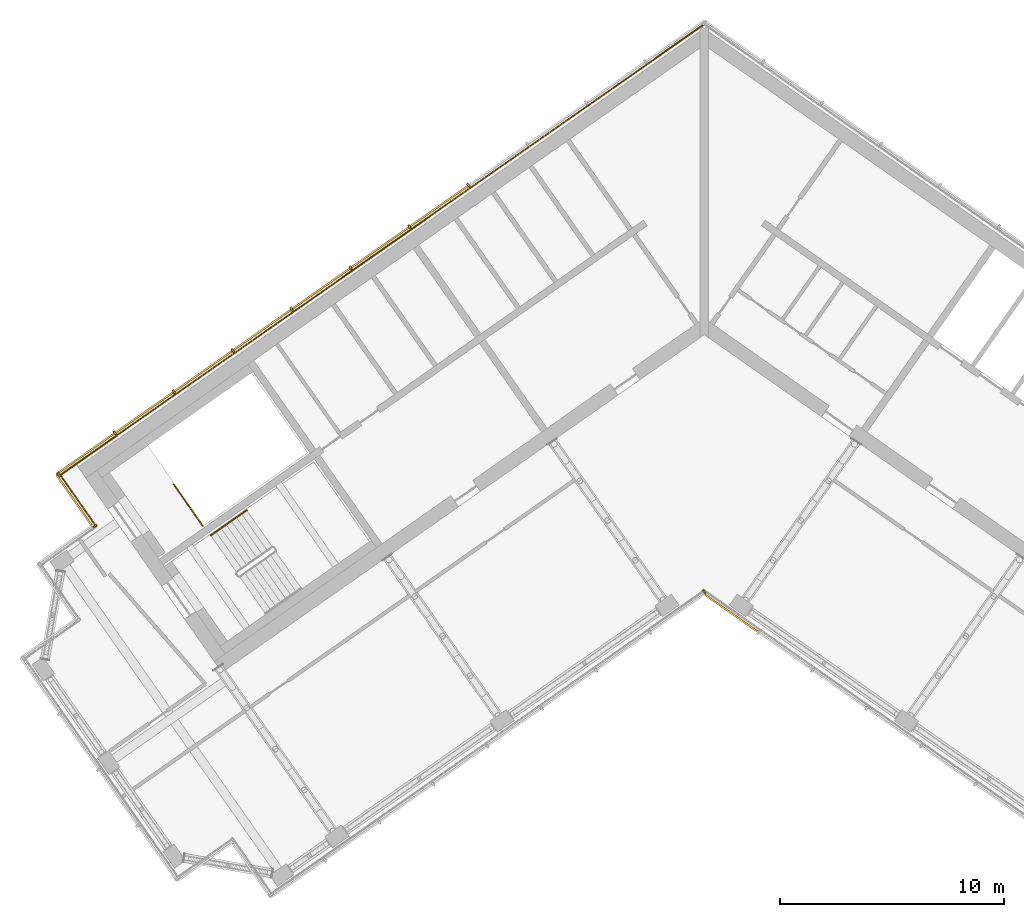
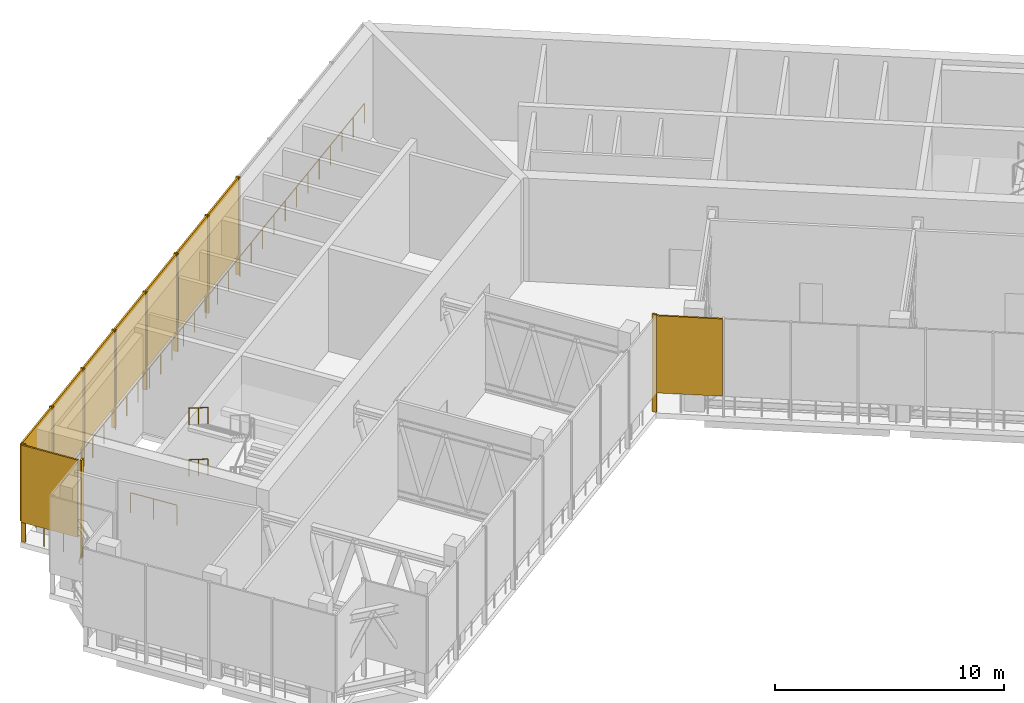
# One storey, part 13 of 16: 19 shading devices, 5 railings.
"""IFC4 building model written with IfcOpenShell, lengths in metres."""

from ifc_helpers import new_model, si_unit, direction, frame, origin, origin_2d, place, context, subcontext, project, spatial, rectangle, circle, extrude, material, layer, layer_set, type_object, element, save


model = new_model("IFC4")

# Units and contexts
model_context = context("Model", 3, precision=1e-05, world=origin(), true_north=direction((0.0, 1.0)))
body_context = subcontext(model_context, "Body", "Model", "MODEL_VIEW")
ifc_project = project(units=[si_unit("LENGTHUNIT", "METRE"), si_unit("AREAUNIT", "SQUARE_METRE"), si_unit("VOLUMEUNIT", "CUBIC_METRE"), si_unit("PLANEANGLEUNIT", "RADIAN"), si_unit("MASSUNIT", "GRAM", prefix="KILO")], contexts=[model_context])

# Site, building, storey
site_placement = place(None, origin())
site = spatial("IfcSite", under=ifc_project, at=site_placement, CompositionType="ELEMENT")
building_placement = place(site_placement, origin())
building = spatial("IfcBuilding", under=site, at=building_placement, Name="Tel Ilan Convention Tower", CompositionType="ELEMENT")
storey_placement = place(building_placement, frame((0.0, 0.0, 313.300048828125)))
storey = spatial("IfcBuildingStorey", under=building, at=storey_placement, Name="L74", CompositionType="ELEMENT", Elevation=313.300048828125)

# Shading devices
ifc_material_1 = material(Name="Perforated aluminium sheet, bronze anodised", Category="aluminium")
ifc_layer_1 = layer(ifc_material_1, 0.080078125)
ifc_layer_set_1 = layer_set([ifc_layer_1], Name="PERFORATED SCREEN 80")
shading_device_type_1 = type_object("IfcShadingDeviceType", Name="PERFORATED SCREEN 80", PredefinedType="USERDEFINED", material=ifc_layer_set_1)
shading_device_1_placement = place(storey_placement, frame((1.210693359375, -13.665771484375, 1.099853515625), z_axis=(0.0, 0.0, 1.0), x_axis=(0.819152044289, -0.573576436351, 0.0)))
element("IfcShadingDevice", 1, at=shading_device_1_placement, inside=storey, type_object=shading_device_type_1, Name="SCREEN", ObjectType="SCREEN", PredefinedType="USERDEFINED", context=body_context, shape_type="SweptSolid", body=[
    extrude(rectangle(XDim=2.89599609375, YDim=0.080078125, at=origin_2d()), origin(), (0.0, 0.0, 1.0), 4.1201171875),
])
for number, where, z_axis, x_axis, name in (
    (2, (-11.8466796875, 4.52294921875, 1.099853515625), (0.0, 0.0, 1.0), (-0.819152044289, -0.573576436351, 0.0), "SCREEN"),
    (3, (-14.4794921875, 2.679443359375, 1.099853515625), (0.0, 0.0, 1.0), (-0.819152044289, -0.573576436351, 0.0), "SCREEN"),
    (4, (-17.112060546875, 0.836181640625, 1.099853515625), (0.0, 0.0, 1.0), (-0.819152044289, -0.573576436351, 0.0), "SCREEN"),
    (5, (-19.74462890625, -1.00732421875, 1.099853515625), (0.0, 0.0, 1.0), (-0.819152044289, -0.573576436351, 0.0), "SCREEN"),
    (6, (-22.377197265625, -2.8505859375, 1.099853515625), (0.0, 0.0, 1.0), (-0.819152044289, -0.573576436351, 0.0), "SCREEN"),
    (7, (-25.009765625, -4.694091796875, 1.099853515625), (0.0, 0.0, 1.0), (-0.819152044289, -0.573576436351, 0.0), "SCREEN"),
    (8, (-27.642578125, -6.537353515625, 1.099853515625), (0.0, 0.0, 1.0), (-0.819152044289, -0.573576436351, 0.0), "SCREEN"),
):
    element("IfcShadingDevice", number, at=place(storey_placement, frame(where, z_axis=z_axis, x_axis=x_axis)), inside=storey, type_object=shading_device_type_1, Name=name, ObjectType="SCREEN", PredefinedType="USERDEFINED", context=body_context, shape_type="SweptSolid", body=[
        extrude(rectangle(XDim=3.15380859375, YDim=0.080078125, at=origin_2d()), origin(), (0.0, 0.0, 1.0), 4.1201171875),
    ])
shading_device_2_placement = place(storey_placement, frame((-28.15576171875, -8.60595703125, 1.099853515625), z_axis=(0.0, 0.0, 1.0), x_axis=(0.573576436351, -0.819152044289, 0.0)))
element("IfcShadingDevice", 9, at=shading_device_2_placement, inside=storey, type_object=shading_device_type_1, Name="SCREEN", ObjectType="SCREEN", PredefinedType="USERDEFINED", context=body_context, shape_type="SweptSolid", body=[
    extrude(rectangle(XDim=2.739990234375, YDim=0.080078125, at=origin_2d()), origin(), (0.0, 0.0, 1.0), 4.1201171875),
])

# Railings
ifc_material_2 = material(Name="Stainless steel S316", Category="steel")
railing_type_1 = type_object("IfcRailingType", Name="REFUGE EDGE GUARD 1100", PredefinedType="GUARDRAIL", material=ifc_material_2)
railing_1_placement = place(storey_placement, frame((-27.15771484375, -9.787109375, 0.0)))
element("IfcRailing", 10, at=railing_1_placement, inside=storey, type_object=railing_type_1, Name="Refuge edge guard 56.R07", PredefinedType="GUARDRAIL", context=body_context, shape_type="SweptSolid", body=[
    extrude(circle(Radius=0.02490234375, at=origin_2d()), frame((0.0, 0.0, 1.0751953125), z_axis=(-0.573608623498, 0.819129505664, 0.0), x_axis=(-0.819129505664, -0.573608623498, 0.0)), (0.0, 0.0, 1.0), 2.800048828125),
    extrude(circle(Radius=0.02490234375, at=origin_2d()), origin(), (0.0, 0.0, 1.0), 1.050048828125),
    extrude(circle(Radius=0.02490234375, at=origin_2d()), frame((-0.535400390625, 0.7646484375, 0.0)), (0.0, 0.0, 1.0), 1.050048828125),
    extrude(circle(Radius=0.02490234375, at=origin_2d()), frame((-1.07080078125, 1.529052734375, 0.0)), (0.0, 0.0, 1.0), 1.050048828125),
    extrude(circle(Radius=0.02490234375, at=origin_2d()), frame((-1.606201171875, 2.293701171875, 0.0)), (0.0, 0.0, 1.0), 1.050048828125),
])
railing_2_placement = place(storey_placement, frame((-28.763916015625, -7.493408203125, 0.0)))
element("IfcRailing", 11, at=railing_2_placement, inside=storey, type_object=railing_type_1, Name="Refuge edge guard 56.R08", PredefinedType="GUARDRAIL", context=body_context, shape_type="SweptSolid", body=[
    extrude(circle(Radius=0.02490234375, at=origin_2d()), frame((0.0, 0.0, 1.0751953125), z_axis=(0.819153192638, 0.573574796335, 0.0), x_axis=(-0.573574796335, 0.819153192638, 0.0)), (0.0, 0.0, 1.0), 35.1142578125),
    extrude(circle(Radius=0.02490234375, at=origin_2d()), origin(), (0.0, 0.0, 1.0), 1.050048828125),
    extrude(circle(Radius=0.02490234375, at=origin_2d()), frame((0.958740234375, 0.67138671875, 0.0)), (0.0, 0.0, 1.0), 1.050048828125),
    extrude(circle(Radius=0.02490234375, at=origin_2d()), frame((1.91748046875, 1.3427734375, 0.0)), (0.0, 0.0, 1.0), 1.050048828125),
    extrude(circle(Radius=0.02490234375, at=origin_2d()), frame((2.87646484375, 2.01416015625, 0.0)), (0.0, 0.0, 1.0), 1.050048828125),
    extrude(circle(Radius=0.02490234375, at=origin_2d()), frame((3.835205078125, 2.685302734375, 0.0)), (0.0, 0.0, 1.0), 1.050048828125),
    extrude(circle(Radius=0.02490234375, at=origin_2d()), frame((4.7939453125, 3.356689453125, 0.0)), (0.0, 0.0, 1.0), 1.050048828125),
    extrude(circle(Radius=0.02490234375, at=origin_2d()), frame((5.752685546875, 4.028076171875, 0.0)), (0.0, 0.0, 1.0), 1.050048828125),
    extrude(circle(Radius=0.02490234375, at=origin_2d()), frame((6.711669921875, 4.699462890625, 0.0)), (0.0, 0.0, 1.0), 1.050048828125),
    extrude(circle(Radius=0.02490234375, at=origin_2d()), frame((7.67041015625, 5.370849609375, 0.0)), (0.0, 0.0, 1.0), 1.050048828125),
    extrude(circle(Radius=0.02490234375, at=origin_2d()), frame((8.629150390625, 6.042236328125, 0.0)), (0.0, 0.0, 1.0), 1.050048828125),
    extrude(circle(Radius=0.02490234375, at=origin_2d()), frame((9.587890625, 6.713623046875, 0.0)), (0.0, 0.0, 1.0), 1.050048828125),
    extrude(circle(Radius=0.02490234375, at=origin_2d()), frame((10.546875, 7.385009765625, 0.0)), (0.0, 0.0, 1.0), 1.050048828125),
    extrude(circle(Radius=0.02490234375, at=origin_2d()), frame((11.505615234375, 8.05615234375, 0.0)), (0.0, 0.0, 1.0), 1.050048828125),
    extrude(circle(Radius=0.02490234375, at=origin_2d()), frame((12.46435546875, 8.7275390625, 0.0)), (0.0, 0.0, 1.0), 1.050048828125),
    extrude(circle(Radius=0.02490234375, at=origin_2d()), frame((13.423095703125, 9.39892578125, 0.0)), (0.0, 0.0, 1.0), 1.050048828125),
    extrude(circle(Radius=0.02490234375, at=origin_2d()), frame((14.3818359375, 10.0703125, 0.0)), (0.0, 0.0, 1.0), 1.050048828125),
    extrude(circle(Radius=0.02490234375, at=origin_2d()), frame((15.3408203125, 10.74169921875, 0.0)), (0.0, 0.0, 1.0), 1.050048828125),
    extrude(circle(Radius=0.02490234375, at=origin_2d()), frame((16.299560546875, 11.4130859375, 0.0)), (0.0, 0.0, 1.0), 1.050048828125),
    extrude(circle(Radius=0.02490234375, at=origin_2d()), frame((17.25830078125, 12.08447265625, 0.0)), (0.0, 0.0, 1.0), 1.050048828125),
    extrude(circle(Radius=0.02490234375, at=origin_2d()), frame((18.217041015625, 12.755615234375, 0.0)), (0.0, 0.0, 1.0), 1.050048828125),
    extrude(circle(Radius=0.02490234375, at=origin_2d()), frame((19.176025390625, 13.427001953125, 0.0)), (0.0, 0.0, 1.0), 1.050048828125),
    extrude(circle(Radius=0.02490234375, at=origin_2d()), frame((20.134765625, 14.098388671875, 0.0)), (0.0, 0.0, 1.0), 1.050048828125),
    extrude(circle(Radius=0.02490234375, at=origin_2d()), frame((21.093505859375, 14.769775390625, 0.0)), (0.0, 0.0, 1.0), 1.050048828125),
    extrude(circle(Radius=0.02490234375, at=origin_2d()), frame((22.05224609375, 15.441162109375, 0.0)), (0.0, 0.0, 1.0), 1.050048828125),
    extrude(circle(Radius=0.02490234375, at=origin_2d()), frame((23.01123046875, 16.112548828125, 0.0)), (0.0, 0.0, 1.0), 1.050048828125),
    extrude(circle(Radius=0.02490234375, at=origin_2d()), frame((23.969970703125, 16.783935546875, 0.0)), (0.0, 0.0, 1.0), 1.050048828125),
    extrude(circle(Radius=0.02490234375, at=origin_2d()), frame((24.9287109375, 17.455322265625, 0.0)), (0.0, 0.0, 1.0), 1.050048828125),
    extrude(circle(Radius=0.02490234375, at=origin_2d()), frame((25.887451171875, 18.12646484375, 0.0)), (0.0, 0.0, 1.0), 1.050048828125),
    extrude(circle(Radius=0.02490234375, at=origin_2d()), frame((26.846435546875, 18.7978515625, 0.0)), (0.0, 0.0, 1.0), 1.050048828125),
    extrude(circle(Radius=0.02490234375, at=origin_2d()), frame((27.80517578125, 19.46923828125, 0.0)), (0.0, 0.0, 1.0), 1.050048828125),
    extrude(circle(Radius=0.02490234375, at=origin_2d()), frame((28.763916015625, 20.140625, 0.0)), (0.0, 0.0, 1.0), 1.050048828125),
])

# Shading devices
ifc_material_3 = material(Name="Perforated aluminium sheet, bronze anodised", Category="aluminium")
ifc_layer_2 = layer(ifc_material_3, 0.080078125)
ifc_layer_set_2 = layer_set([ifc_layer_2], Name="SCREEN CORNER CLOSURE 80x200")
shading_device_type_2 = type_object("IfcShadingDeviceType", Name="SCREEN CORNER CLOSURE 80x200", PredefinedType="USERDEFINED", material=ifc_layer_set_2)
for number, where, z_axis, x_axis, name in (
    (12, (0.0, -12.696044921875, 0.0), (0.0, 0.0, 1.0), (0.819152044289, 0.573576436351, 0.0), "SCREEN"),
    (13, (-28.819580078125, -7.483642578125, 0.0), (0.0, 0.0, 1.0), (-0.819152044289, -0.573576436351, 0.0), "SCREEN"),
    (14, (-27.213623046875, -9.77734375, 0.0), (0.0, 0.0, 1.0), (0.573576436351, -0.819152044289, 0.0), "SCREEN"),
):
    element("IfcShadingDevice", number, at=place(storey_placement, frame(where, z_axis=z_axis, x_axis=x_axis)), inside=storey, type_object=shading_device_type_2, Name=name, ObjectType="SCREEN", PredefinedType="USERDEFINED", context=body_context, shape_type="SweptSolid", body=[
        extrude(rectangle(XDim=0.080078125, YDim=0.199951171875, at=origin_2d()), origin(), (0.0, 0.0, 1.0), 5.219970703125),
    ])
ifc_material_4 = material(Name="Aluminium, bronze anodised", Category="aluminium")
ifc_layer_3 = layer(ifc_material_4, 0.080078125)
ifc_layer_set_3 = layer_set([ifc_layer_3], Name="SCREEN POST 80x200")
shading_device_type_3 = type_object("IfcShadingDeviceType", Name="SCREEN POST 80x200", PredefinedType="USERDEFINED", material=ifc_layer_set_3)
for number, where, z_axis, x_axis, name in (
    (15, (-10.530517578125, 5.444580078125, 0.0), (0.0, 0.0, 1.0), (-0.819152044289, -0.573576436351, 0.0), "Screen post"),
    (16, (-13.1630859375, 3.601318359375, 0.0), (0.0, 0.0, 1.0), (-0.819152044289, -0.573576436351, 0.0), "Screen post"),
    (17, (-15.795654296875, 1.7578125, 0.0), (0.0, 0.0, 1.0), (-0.819152044289, -0.573576436351, 0.0), "Screen post"),
    (18, (-18.42822265625, -0.08544921875, 0.0), (0.0, 0.0, 1.0), (-0.819152044289, -0.573576436351, 0.0), "Screen post"),
    (19, (-21.06103515625, -1.928955078125, 0.0), (0.0, 0.0, 1.0), (-0.819152044289, -0.573576436351, 0.0), "Screen post"),
    (20, (-23.693603515625, -3.772216796875, 0.0), (0.0, 0.0, 1.0), (-0.819152044289, -0.573576436351, 0.0), "Screen post"),
    (21, (-26.326171875, -5.61572265625, 0.0), (0.0, 0.0, 1.0), (-0.819152044289, -0.573576436351, 0.0), "Screen post"),
):
    element("IfcShadingDevice", number, at=place(storey_placement, frame(where, z_axis=z_axis, x_axis=x_axis)), inside=storey, type_object=shading_device_type_3, Name=name, ObjectType="SCREEN POST", PredefinedType="USERDEFINED", context=body_context, shape_type="SweptSolid", body=[
        extrude(rectangle(XDim=0.080078125, YDim=0.199951171875, at=origin_2d()), origin(), (0.0, 0.0, 1.0), 5.219970703125),
    ])

# Railings
ifc_material_5 = material(Name="Stainless Steel Grade 316", Category="steel")
railing_type_2 = type_object("IfcRailingType", Name="Stainless Steel Stair Guard 1100 mm", PredefinedType="GUARDRAIL", material=ifc_material_5)
railing_3_placement = place(storey_placement, frame((-22.400634765625, -9.76416015625, 0.0)))
element("IfcRailing", 22, at=railing_3_placement, inside=storey, type_object=railing_type_2, Name="L74 S1 top well guard 1", PredefinedType="GUARDRAIL", context=body_context, shape_type="SweptSolid", body=[
    extrude(circle(Radius=0.02392578125, at=origin_2d()), frame((0.0, 0.0, 1.076171875), z_axis=(-0.573586141663, 0.819145248471, 0.0), x_axis=(-0.819145248471, -0.573586141663, 0.0)), (0.0, 0.0, 1.0), 2.25),
    extrude(circle(Radius=0.02099609375, at=origin_2d()), origin(), (0.0, 0.0, 1.0), 1.052001953125),
    extrude(circle(Radius=0.02099609375, at=origin_2d()), frame((-0.645263671875, 0.92138671875, 0.0)), (0.0, 0.0, 1.0), 1.052001953125),
    extrude(circle(Radius=0.02099609375, at=origin_2d()), frame((-1.29052734375, 1.843017578125, 0.0)), (0.0, 0.0, 1.0), 1.052001953125),
])
ifc_material_6 = material(Name="Stainless Steel Grade 316", Category="steel")
railing_type_3 = type_object("IfcRailingType", Name="Stainless Steel Stair Handrail 900 mm", PredefinedType="HANDRAIL", material=ifc_material_6)
for number, where, name in (
    (23, (-20.4384765625, -9.06201171875, 1.546875), "L74 S2 stair handrail 2"),
    (24, (-20.4384765625, -9.06201171875, 4.296875), "L74 S2 stair handrail 4"),
):
    element("IfcRailing", number, at=place(storey_placement, frame(where)), inside=storey, type_object=railing_type_3, Name=name, PredefinedType="HANDRAIL", context=body_context, shape_type="SweptSolid", body=[
        extrude(circle(Radius=0.02392578125, at=origin_2d()), frame((0.0, 0.0, 0.8759765625), z_axis=(-0.698185379967, -0.488740381537, 0.523134795876), x_axis=(0.573470704013, -0.8192260687, 0.0)), (0.0, 0.0, 1.0), 2.2998046875),
        extrude(circle(Radius=0.02099609375, at=origin_2d()), origin(), (0.0, 0.0, 1.0), 0.851806640625),
        extrude(circle(Radius=0.02099609375, at=origin_2d()), frame((-0.802734375, -0.56201171875, 0.6015625)), (0.0, 0.0, 1.0), 0.851806640625),
        extrude(circle(Radius=0.02099609375, at=origin_2d()), frame((-1.605712890625, -1.1240234375, 1.203125)), (0.0, 0.0, 1.0), 0.851806640625),
    ])

save(model, "model.ifc")
